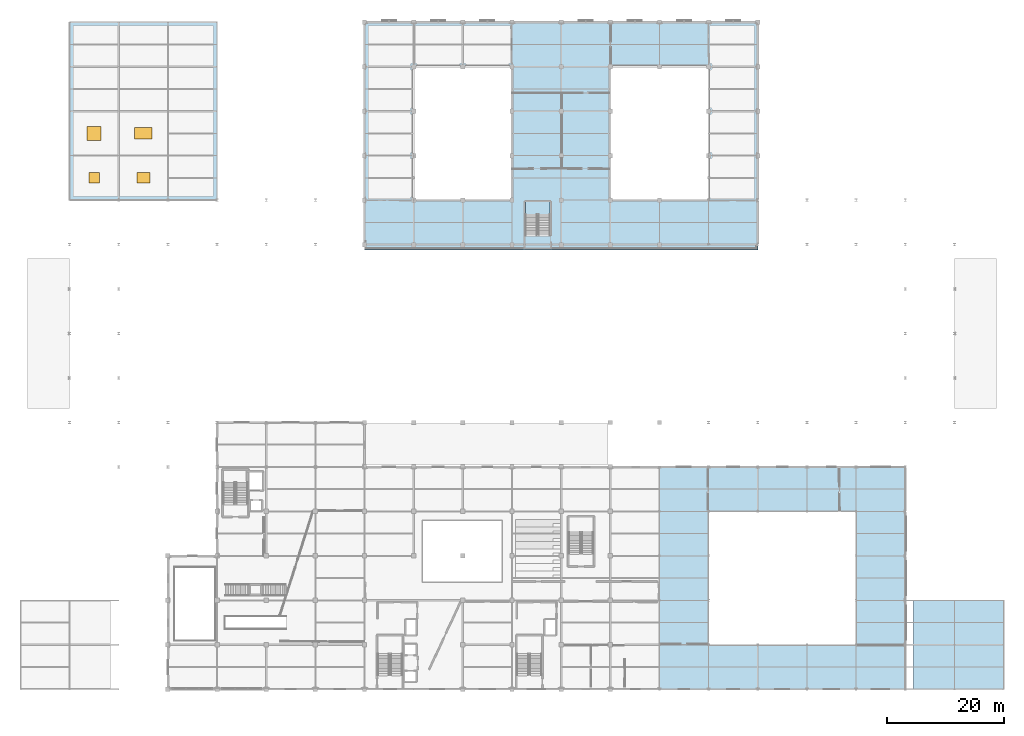
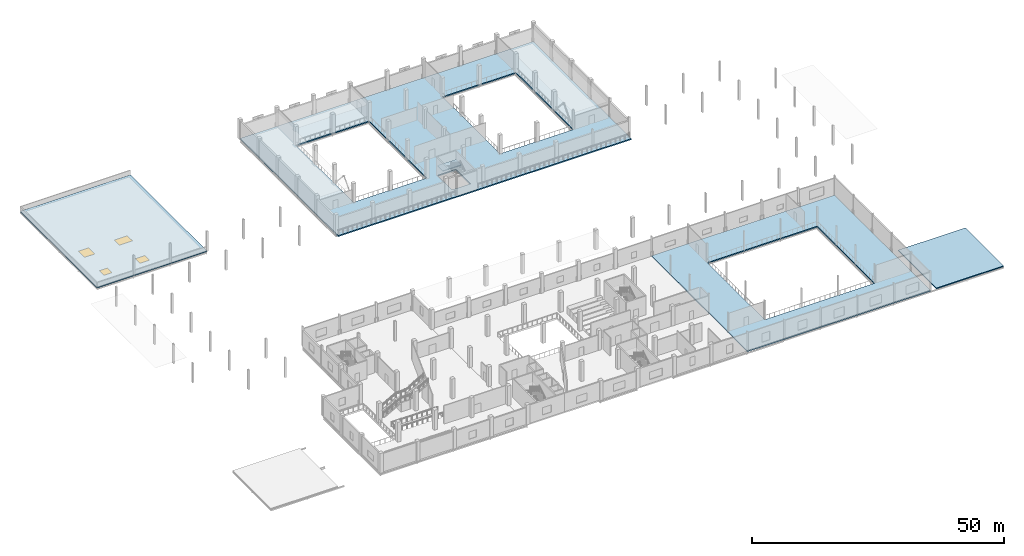
# One storey, part 21 of 51: 5 slabs, 4 windows, 4 openings, 1 element without a shape of its own.
"""IFC4 building model written with IfcOpenShell, lengths in metres."""

from ifc_helpers import new_model, si_unit, direction, frame, origin, origin_2d, place, context, subcontext, project, spatial, polyline, rectangle, outline, extrude, material, layer, layer_set, type_object, element, fill, aggregate, save


model = new_model("IFC4")

# Units and contexts
model_context = context("Model", 3, precision=1e-05, world=origin(), true_north=direction((0.0, 1.0)))
body_context = subcontext(model_context, "Body", "Model", "MODEL_VIEW")
ifc_project = project(units=[si_unit("LENGTHUNIT", "METRE"), si_unit("AREAUNIT", "SQUARE_METRE"), si_unit("VOLUMEUNIT", "CUBIC_METRE"), si_unit("PLANEANGLEUNIT", "RADIAN"), si_unit("MASSUNIT", "GRAM", prefix="KILO")], contexts=[model_context])

# Site, building, storey
site_placement = place(None, origin())
site = spatial("IfcSite", under=ifc_project, at=site_placement, CompositionType="ELEMENT")
building_placement = place(site_placement, origin())
building = spatial("IfcBuilding", under=site, at=building_placement, Name="Zuvorla Pavilion Media Centre", CompositionType="ELEMENT")
storey_placement = place(building_placement, frame((0.0, 0.0, 4.800048828125)))
storey = spatial("IfcBuildingStorey", under=building, at=storey_placement, Name="L01", CompositionType="ELEMENT", Elevation=4.800048828125)

# Slabs
ifc_material_1 = material(Name="Concrete C40/50", Category="concrete")
ifc_layer_1 = layer(ifc_material_1, 0.280029296875)
ifc_layer_set_1 = layer_set([ifc_layer_1], Name="Concrete C40/50")
slab_type_1 = type_object("IfcSlabType", Name="SLB-FLR-280", PredefinedType="FLOOR", material=ifc_layer_set_1)
slab_1_placement = place(storey_placement, frame((0.0, 0.0, -0.280029296875)))
element("IfcSlab", 1, at=slab_1_placement, inside=storey, type_object=slab_type_1, Name="L01 floor slab SE", PredefinedType="FLOOR", context=body_context, shape_type="SweptSolid", body=[
    extrude(outline(polyline([(117.199951171875, 6.0), (117.199951171875, 44.0), (159.199951171875, 44.0), (159.199951171875, 6.0), (117.199951171875, 6.0)]), holes=[polyline([(150.800048828125, 36.39990234375), (125.60009765625, 36.39990234375), (125.60009765625, 13.60009765625), (150.800048828125, 13.60009765625), (150.800048828125, 36.39990234375)])]), origin(), (0.0, 0.0, 1.0), 0.280029296875),
])
slab_2_placement = place(storey_placement, frame((0.0, 0.0, -0.280029296875)))
element("IfcSlab", 2, at=slab_2_placement, inside=storey, type_object=slab_type_1, Name="L01 floor slab NB", PredefinedType="FLOOR", context=body_context, shape_type="SweptSolid", body=[
    extrude(outline(polyline([(66.800048828125, 81.10009765625), (66.800048828125, 120.0), (134.0, 120.0), (134.0, 81.10009765625), (66.800048828125, 81.10009765625)]), holes=[polyline([(98.5, 83.550048828125), (98.5, 89.300048828125), (94.300048828125, 89.300048828125), (94.300048828125, 83.550048828125), (98.5, 83.550048828125)]), polyline([(75.199951171875, 89.60009765625), (92.0, 89.60009765625), (92.0, 112.39990234375), (75.199951171875, 112.39990234375), (75.199951171875, 89.60009765625)]), polyline([(108.800048828125, 89.60009765625), (125.60009765625, 89.60009765625), (125.60009765625, 112.39990234375), (108.800048828125, 112.39990234375), (108.800048828125, 89.60009765625)])]), origin(), (0.0, 0.0, 1.0), 0.280029296875),
])

# Stair, slab
stair_type = type_object("IfcStairType", Name="STR-DOG-480", PredefinedType="TWO_STRAIGHT_RUN_STAIR", material=ifc_material_1)
stair_placement = place(storey_placement, origin())
stair = element("IfcStair", 3, at=stair_placement, inside=storey, type_object=stair_type, Name="L01 exit stair ST-05", PredefinedType="TWO_STRAIGHT_RUN_STAIR")
ifc_layer_2 = layer(ifc_material_1, 0.199951171875)
ifc_layer_set_2 = layer_set([ifc_layer_2], Name="Concrete C40/50")
slab_type_2 = type_object("IfcSlabType", Name="SLB-LND-200", PredefinedType="LANDING", material=ifc_layer_set_2)
slab_3_placement = place(storey_placement, frame((0.0, 0.0, 2.199951171875)))
slab_3 = element("IfcSlab", 4, at=slab_3_placement, type_object=slab_type_2, Name="ST-05 landing 1", PredefinedType="LANDING", context=body_context, shape_type="SweptSolid", body=[
    extrude(outline(polyline([(94.280029296875, 87.169921875), (98.52001953125, 87.169921875), (98.52001953125, 89.320068359375), (94.280029296875, 89.320068359375), (94.280029296875, 87.169921875)])), origin(), (0.0, 0.0, 1.0), 0.199951171875),
])
aggregate(stair, [slab_3])

# Slab, openings, windows
ifc_material_2 = material(Name="Concrete C32/40", Category="concrete")
ifc_layer_3 = layer(ifc_material_2, 0.239990234375)
ifc_layer_set_3 = layer_set([ifc_layer_3], Name="Concrete C32/40")
slab_type_3 = type_object("IfcSlabType", Name="SLB-ROOF-240", PredefinedType="ROOF", material=ifc_layer_set_3)
slab_4_placement = place(storey_placement, frame((0.0, 0.0, -0.239990234375)))
slab_4 = element("IfcSlab", 5, at=slab_4_placement, inside=storey, type_object=slab_type_3, Name="L01 roof slab SLB-ROOF-NW-L01", PredefinedType="ROOF", context=body_context, shape_type="SweptSolid", body=[
    extrude(outline(polyline([(16.39990234375, 89.60009765625), (16.39990234375, 120.0), (41.60009765625, 120.0), (41.60009765625, 89.60009765625), (16.39990234375, 89.60009765625)]), holes=[polyline([(19.699951171875, 92.5), (21.5, 92.5), (21.5, 94.300048828125), (19.699951171875, 94.300048828125), (19.699951171875, 92.5)]), polyline([(28.0, 92.60009765625), (30.0, 92.60009765625), (30.0, 94.199951171875), (28.0, 94.199951171875), (28.0, 92.60009765625)]), polyline([(19.5, 100.10009765625), (21.699951171875, 100.10009765625), (21.699951171875, 101.89990234375), (19.5, 101.89990234375), (19.5, 100.10009765625)]), polyline([(27.800048828125, 100.0), (30.199951171875, 100.0), (30.199951171875, 102.0), (27.800048828125, 102.0), (27.800048828125, 100.0)])]), origin(), (0.0, 0.0, 1.0), 0.239990234375),
])
opening_1_placement = place(slab_4_placement, frame((20.60009765625, 93.39990234375, -0.010009765625)))
opening_1 = element("IfcOpeningElement", 6, at=opening_1_placement, cuts=slab_4, Name="Opening SK01", PredefinedType="OPENING", context=body_context, shape_type="SweptSolid", body=[
    extrude(rectangle(XDim=1.800048828125, YDim=1.800048828125, at=origin_2d()), origin(), (0.0, 0.0, 1.0), 0.260009765625),
])
opening_2_placement = place(slab_4_placement, frame((29.0, 93.39990234375, -0.010009765625)))
opening_2 = element("IfcOpeningElement", 7, at=opening_2_placement, cuts=slab_4, Name="Opening SK02", PredefinedType="OPENING", context=body_context, shape_type="SweptSolid", body=[
    extrude(rectangle(XDim=2.199951171875, YDim=1.800048828125, at=origin_2d()), origin(), (0.0, 0.0, 1.0), 0.260009765625),
])
opening_3_placement = place(slab_4_placement, frame((20.60009765625, 101.0, -0.010009765625)))
opening_3 = element("IfcOpeningElement", 8, at=opening_3_placement, cuts=slab_4, Name="Opening SK03", PredefinedType="OPENING", context=body_context, shape_type="SweptSolid", body=[
    extrude(rectangle(XDim=2.39990234375, YDim=2.39990234375, at=origin_2d()), origin(), (0.0, 0.0, 1.0), 0.260009765625),
])
opening_4_placement = place(slab_4_placement, frame((29.0, 101.0, -0.010009765625)))
opening_4 = element("IfcOpeningElement", 9, at=opening_4_placement, cuts=slab_4, Name="Opening SK04", PredefinedType="OPENING", context=body_context, shape_type="SweptSolid", body=[
    extrude(rectangle(XDim=3.0, YDim=2.0, at=origin_2d()), origin(), (0.0, 0.0, 1.0), 0.260009765625),
])
ifc_material_3 = material(Name="Anodised aluminium skylight with laminated solar glass", Category="aluminium")
window_type_1 = type_object("IfcWindowType", Name="SKY-SK01", PartitioningType="SINGLE_PANEL", PredefinedType="SKYLIGHT", material=ifc_material_3)
window_1_placement = place(slab_4_placement, frame((20.60009765625, 93.39990234375, 0.18994140625)))
window_1 = element("IfcWindow", 10, at=window_1_placement, inside=storey, type_object=window_type_1, Name="L01 roof skylight SK01 153", OverallHeight=1.800048828125, OverallWidth=1.800048828125, PartitioningType="SINGLE_PANEL", PredefinedType="SKYLIGHT", context=body_context, shape_type="SweptSolid", body=[
    extrude(rectangle(XDim=1.800048828125, YDim=1.800048828125, at=origin_2d()), origin(), (0.0, 0.0, 1.0), 0.050048828125),
])
fill(opening_1, window_1)
window_type_2 = type_object("IfcWindowType", Name="SKY-SK02", PartitioningType="SINGLE_PANEL", PredefinedType="SKYLIGHT", material=ifc_material_3)
window_2_placement = place(slab_4_placement, frame((29.0, 93.39990234375, 0.18994140625)))
window_2 = element("IfcWindow", 11, at=window_2_placement, inside=storey, type_object=window_type_2, Name="L01 roof skylight SK02 154", OverallHeight=1.800048828125, OverallWidth=2.199951171875, PartitioningType="SINGLE_PANEL", PredefinedType="SKYLIGHT", context=body_context, shape_type="SweptSolid", body=[
    extrude(rectangle(XDim=2.199951171875, YDim=1.800048828125, at=origin_2d()), origin(), (0.0, 0.0, 1.0), 0.050048828125),
])
fill(opening_2, window_2)
window_type_3 = type_object("IfcWindowType", Name="SKY-SK03", PartitioningType="SINGLE_PANEL", PredefinedType="SKYLIGHT", material=ifc_material_3)
window_3_placement = place(slab_4_placement, frame((20.60009765625, 101.0, 0.18994140625)))
window_3 = element("IfcWindow", 12, at=window_3_placement, inside=storey, type_object=window_type_3, Name="L01 roof skylight SK03 155", OverallHeight=2.39990234375, OverallWidth=2.39990234375, PartitioningType="SINGLE_PANEL", PredefinedType="SKYLIGHT", context=body_context, shape_type="SweptSolid", body=[
    extrude(rectangle(XDim=2.39990234375, YDim=2.39990234375, at=origin_2d()), origin(), (0.0, 0.0, 1.0), 0.050048828125),
])
fill(opening_3, window_3)
window_type_4 = type_object("IfcWindowType", Name="SKY-SK04", PartitioningType="SINGLE_PANEL", PredefinedType="SKYLIGHT", material=ifc_material_3)
window_4_placement = place(slab_4_placement, frame((29.0, 101.0, 0.18994140625)))
window_4 = element("IfcWindow", 13, at=window_4_placement, inside=storey, type_object=window_type_4, Name="L01 roof skylight SK04 156", OverallHeight=2.0, OverallWidth=3.0, PartitioningType="SINGLE_PANEL", PredefinedType="SKYLIGHT", context=body_context, shape_type="SweptSolid", body=[
    extrude(rectangle(XDim=3.0, YDim=2.0, at=origin_2d()), origin(), (0.0, 0.0, 1.0), 0.050048828125),
])
fill(opening_4, window_4)

# Slab
slab_5_placement = place(storey_placement, frame((0.0, 0.0, -0.239990234375)))
element("IfcSlab", 14, at=slab_5_placement, inside=storey, type_object=slab_type_3, Name="L01 roof slab SLB-ROOF-COLE-L01", PredefinedType="ROOF", context=body_context, shape_type="SweptSolid", body=[
    extrude(outline(polyline([(176.0, 6.0), (176.0, 21.199951171875), (160.60009765625, 21.199951171875), (160.60009765625, 6.0), (176.0, 6.0)])), origin(), (0.0, 0.0, 1.0), 0.239990234375),
])

save(model, "model.ifc")
